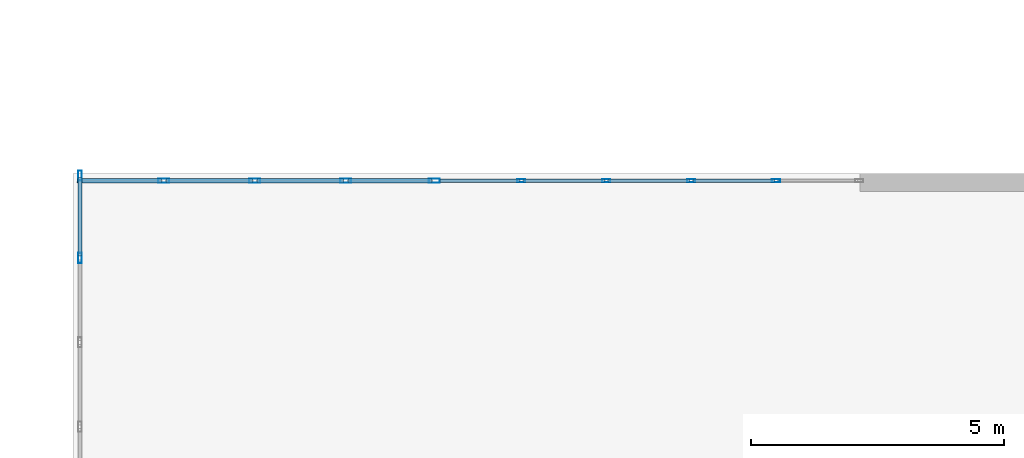
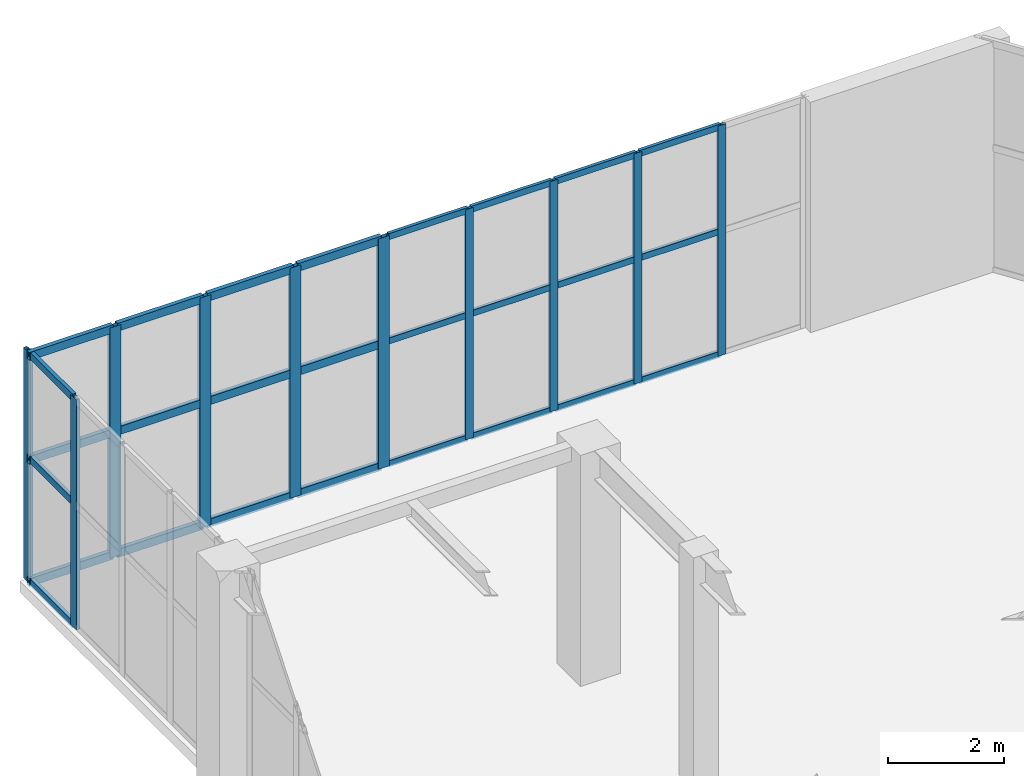
# One storey, part 63 of 128: 37 members, 3 elements without a shape of their own.
"""IFC4 building model written with IfcOpenShell, lengths in metres."""

import ifcopenshell
import ifcopenshell.guid

model = None  # the IFC model being written
_history = None  # IfcOwnerHistory: only IFC2X3 demands one
_inside = {}  # id of a spatial element -> (the spatial element, [elements in it])
_under = {}  # id of a project, library or spatial element -> (it, [spatial elements below it])
_declared = {}  # id of a project -> (the project, [libraries it declares])
_typed = {}  # id of a type object -> (the type object, [elements of that type])
_made_of = {}  # id of a material, layer set ... -> (it, [elements and type objects made of it])


def new_model(schema):
    """Start an empty IFC model of exactly this schema.

    Asked for "IFC4X3", IfcOpenShell would pick the latest addendum, in which some entities
    have other attributes; the version numbers below select the first issue.
    IFC2X3 requires an IfcOwnerHistory on every rooted entity: one is made here for all.
    """
    global model, _history
    if schema == "IFC4X3":
        model = ifcopenshell.file(schema_version=(4, 3, 0, 0))
    else:
        model = ifcopenshell.file(schema=schema)
    _inside.clear()
    _under.clear()
    _declared.clear()
    _typed.clear()
    _made_of.clear()
    _history = None
    if model.schema == "IFC2X3":
        org = make("IfcOrganization", Name="unknown")
        user = make(
            "IfcPersonAndOrganization",
            ThePerson=make("IfcPerson", FamilyName="unknown"),
            TheOrganization=org,
        )
        app = make(
            "IfcApplication",
            ApplicationDeveloper=org,
            Version="unknown",
            ApplicationFullName="unknown",
            ApplicationIdentifier="unknown",
        )
        _history = make(
            "IfcOwnerHistory",
            OwningUser=user,
            OwningApplication=app,
            ChangeAction="ADDED",
            CreationDate=0,
        )
    return model


def make(cls, **values):
    """One entity of the class cls with the attributes given. An attribute that is None is left unset."""
    return model.create_entity(
        cls, **{name: value for name, value in values.items() if value is not None}
    )


def rooted(cls, **values):
    """An entity with a GlobalId (a new one), such as an element, a storey or a relation."""
    return make(cls, GlobalId=ifcopenshell.guid.new(), OwnerHistory=_history, **values)


def si_unit(unit_type, name, prefix=None):
    """IfcSIUnit, for example si_unit("LENGTHUNIT", "METRE", prefix="MILLI")."""
    return make("IfcSIUnit", UnitType=unit_type, Prefix=prefix, Name=name)


def assignment(units):
    """IfcUnitAssignment: the units of a project."""
    return None if units is None else make("IfcUnitAssignment", Units=units)


def point(xyz):
    """IfcCartesianPoint."""
    return None if xyz is None else make("IfcCartesianPoint", Coordinates=xyz)


def direction(xyz):
    """IfcDirection."""
    return None if xyz is None else make("IfcDirection", DirectionRatios=xyz)


def frame(location, z_axis=None, x_axis=None):
    """IfcAxis2Placement3D, a coordinate frame: its origin and axes. An axis left out is left unset."""
    return make(
        "IfcAxis2Placement3D",
        Location=point(location),
        Axis=direction(z_axis),
        RefDirection=direction(x_axis),
    )


def frame_2d(location, x_axis=None):
    """IfcAxis2Placement2D, a coordinate frame in the plane: its origin and x axis."""
    return make(
        "IfcAxis2Placement2D", Location=point(location), RefDirection=direction(x_axis)
    )


def origin():
    """The frame at (0, 0, 0) with its axes left unset."""
    return frame((0.0, 0.0, 0.0))


def origin_2d():
    """The frame at (0, 0) in the plane with its x axis left unset."""
    return frame_2d((0.0, 0.0))


def place(relative_to, where):
    """IfcLocalPlacement: puts the frame where relative to a parent placement (None: the world)."""
    return make(
        "IfcLocalPlacement", PlacementRelTo=relative_to, RelativePlacement=where
    )


def context(
    kind, dimensions, precision=None, world=None, true_north=None, identifier=None
):
    """IfcGeometricRepresentationContext, for example the 3D "Model" context."""
    return make(
        "IfcGeometricRepresentationContext",
        ContextIdentifier=identifier,
        ContextType=kind,
        CoordinateSpaceDimension=dimensions,
        Precision=precision,
        WorldCoordinateSystem=world,
        TrueNorth=true_north,
    )


def subcontext(parent, identifier, kind, view, scale=None):
    """IfcGeometricRepresentationSubContext, for example "Body" below "Model"."""
    return make(
        "IfcGeometricRepresentationSubContext",
        ContextIdentifier=identifier,
        ContextType=kind,
        ParentContext=parent,
        TargetScale=scale,
        TargetView=view,
    )


def project(units=None, contexts=None):
    """IfcProject with its units and contexts."""
    return rooted(
        "IfcProject",
        Name="project",
        RepresentationContexts=contexts,
        UnitsInContext=assignment(units),
    )


def spatial(cls, under=None, at=None, **own):
    """A site, building, storey or space (cls), placed at a placement, below another one or the project."""
    s = rooted(cls, ObjectPlacement=at, **own)
    if under is not None:
        _under.setdefault(under.id(), (under, []))[1].append(s)
    return s


def profile(cls, at=None, kind="AREA", **sizes):
    """A parametric profile (cls). Its sizes go by their IFC names, for example OverallWidth=200.0."""
    return make(cls, ProfileType=kind, Position=at, **sizes)


def hollow_rectangle(**sizes):
    """IfcRectangleHollowProfileDef."""
    return profile("IfcRectangleHollowProfileDef", **sizes)


def extrude(swept, where, along, depth):
    """IfcExtrudedAreaSolid: the profile swept, set in the frame where, extruded along a direction by depth."""
    return make(
        "IfcExtrudedAreaSolid",
        SweptArea=swept,
        Position=where,
        ExtrudedDirection=direction(along),
        Depth=depth,
    )


def shape(context_of_items, identifier, shape_type, items):
    """IfcShapeRepresentation: the items that make up one representation, for example the "Body"."""
    return make(
        "IfcShapeRepresentation",
        ContextOfItems=context_of_items,
        RepresentationIdentifier=identifier,
        RepresentationType=shape_type,
        Items=items,
    )


def material(Name=None, Category=None):
    """IfcMaterial."""
    return make("IfcMaterial", Name=Name, Category=Category)


def layer(
    of_material, thickness, ventilated=None, Name=None, Category=None, Priority=None
):
    """IfcMaterialLayer: one layer of a wall or slab, of a material (None: an air gap)."""
    return make(
        "IfcMaterialLayer",
        Material=of_material,
        LayerThickness=thickness,
        IsVentilated=ventilated,
        Name=Name,
        Category=Category,
        Priority=Priority,
    )


def layer_set(layers, Name=None):
    """IfcMaterialLayerSet."""
    return make("IfcMaterialLayerSet", MaterialLayers=layers, LayerSetName=Name)


def material_profile(
    of_material, cross_section, Name=None, Category=None, Priority=None
):
    """IfcMaterialProfile: a cross section and its material."""
    return make(
        "IfcMaterialProfile",
        Name=Name,
        Material=of_material,
        Profile=cross_section,
        Priority=Priority,
        Category=Category,
    )


def profile_set(profiles, Name=None, composite=None):
    """IfcMaterialProfileSet."""
    return make(
        "IfcMaterialProfileSet",
        Name=Name,
        MaterialProfiles=profiles,
        CompositeProfile=composite,
    )


def made_of(thing, what):
    """Note that an element or type object is made of a material, layer set ...; save() writes the relation."""
    if what is not None:
        _made_of.setdefault(what.id(), (what, []))[1].append(thing)
    return thing


def type_object(cls, material=None, **own):
    """A type object (cls), such as IfcWallType, which elements share."""
    return made_of(rooted(cls, **own), material)


def element(
    cls,
    number,
    at=None,
    inside=None,
    cuts=None,
    type_object=None,
    material=None,
    context=None,
    identifier="Body",
    shape_type=None,
    held_by="IfcProductDefinitionShape",
    body=None,
    shapes=None,
    **own,
):
    """One element of the class cls, such as IfcWall. Its Tag is "e" and its number.

    at: its placement. inside: the storey or other place that contains it. cuts: it is an
    opening in that element (IfcRelVoidsElement). A single representation is given by context,
    identifier, shape_type and body (its items); several are given by shapes. held_by: the class
    of the entity that holds the representations. save() writes the other relations.
    """
    e = rooted(cls, Tag="e%d" % number, ObjectPlacement=at, **own)
    if body is not None:
        shapes = [shape(context, identifier, shape_type, body)]
    if shapes is not None:
        e.Representation = make(held_by, Representations=shapes)
    if inside is not None:
        _inside.setdefault(inside.id(), (inside, []))[1].append(e)
    if cuts is not None:
        rooted(
            "IfcRelVoidsElement", RelatingBuildingElement=cuts, RelatedOpeningElement=e
        )
    if type_object is not None:
        _typed.setdefault(type_object.id(), (type_object, []))[1].append(e)
    return made_of(e, material)


def aggregate(whole, parts):
    """IfcRelAggregates: a whole, such as a stair, and the parts it consists of."""
    return rooted("IfcRelAggregates", RelatingObject=whole, RelatedObjects=parts)


def save(model, path):
    """Write the relations noted so far, then the file.

    IfcRelAggregates (storeys below a building ...), IfcRelContainedInSpatialStructure (elements
    in a storey), IfcRelDefinesByType, IfcRelAssociatesMaterial and IfcRelDeclares: one each for
    every whole, place, type object, material and project.
    """
    for whole, parts in _under.values():
        aggregate(whole, parts)
    for where, things in _inside.values():
        rooted(
            "IfcRelContainedInSpatialStructure",
            RelatedElements=things,
            RelatingStructure=where,
        )
    for kind, things in _typed.values():
        rooted("IfcRelDefinesByType", RelatedObjects=things, RelatingType=kind)
    for what, things in _made_of.values():
        rooted("IfcRelAssociatesMaterial", RelatedObjects=things, RelatingMaterial=what)
    for by, libraries in _declared.values():
        rooted("IfcRelDeclares", RelatingContext=by, RelatedDefinitions=libraries)
    model.write(path)


model = new_model("IFC4")

# Units and contexts
model_context = context("Model", 3, precision=1e-05, world=origin(), true_north=direction((0.0, 1.0)))
body_context = subcontext(model_context, "Body", "Model", "MODEL_VIEW")
ifc_project = project(units=[si_unit("LENGTHUNIT", "METRE"), si_unit("AREAUNIT", "SQUARE_METRE"), si_unit("VOLUMEUNIT", "CUBIC_METRE"), si_unit("PLANEANGLEUNIT", "RADIAN"), si_unit("MASSUNIT", "GRAM", prefix="KILO")], contexts=[model_context])

# Site, building, storey
site_placement = place(None, origin())
site = spatial("IfcSite", under=ifc_project, at=site_placement, CompositionType="ELEMENT")
building_placement = place(site_placement, origin())
building = spatial("IfcBuilding", under=site, at=building_placement, Name="Xicomal Pleat Aquarium", CompositionType="ELEMENT")
storey_placement = place(building_placement, frame((0.0, 0.0, 5.39990234375)))
storey = spatial("IfcBuildingStorey", under=building, at=storey_placement, Name="L02", CompositionType="ELEMENT", Elevation=5.39990234375)

# Curtain wall, members
ifc_material_1 = material(Name="Bronze anodized aluminium 6063-T6", Category="aluminium")
ifc_layer_1 = layer(ifc_material_1, 0.159912109375)
ifc_layer_set_1 = layer_set([ifc_layer_1], Name="Bronze anodized aluminium 6063-T6")
curtain_wall_type_1 = type_object("IfcCurtainWallType", Name="CW-SYS-02", PredefinedType="NOTDEFINED", material=ifc_layer_set_1)
curtain_wall_1_placement = place(storey_placement, origin())
curtain_wall_1 = element("IfcCurtainWall", 1, at=curtain_wall_1_placement, inside=storey, type_object=curtain_wall_type_1, Name="L02 unitised curtain wall CW-L02-129", PredefinedType="NOTDEFINED")
ifc_material_2 = material(Name="Bronze anodized aluminium 6063-T6", Category="aluminium")
ifc_material_profile_1 = material_profile(ifc_material_2, hollow_rectangle(XDim=0.06494140625, YDim=0.159912109375, WallThickness=0.00390625, at=origin_2d()), Name="ALU MULL 65x160")
ifc_profile_set_1 = profile_set([ifc_material_profile_1], Name="Bronze anodized aluminium 6063-T6")
member_type_1 = type_object("IfcMemberType", Name="CWM-65x160", PredefinedType="MULLION", material=ifc_profile_set_1)
member_1_placement = place(storey_placement, frame((11.8798828125, 98.260009765625, 0.0), z_axis=(0.0, 0.0, 1.0), x_axis=(0.0, 1.0, 0.0)))
member_1 = element("IfcMember", 2, at=member_1_placement, type_object=member_type_1, Name="CW-02 mullion 2", PredefinedType="MULLION", context=body_context, shape_type="SweptSolid", body=[
    extrude(hollow_rectangle(XDim=0.06494140625, YDim=0.159912109375, WallThickness=0.00390625, at=origin_2d()), origin(), (0.0, 0.0, 1.0), 4.860107421875),
])
member_2_placement = place(storey_placement, frame((13.56005859375, 98.260009765625, 0.0), z_axis=(0.0, 0.0, 1.0), x_axis=(0.0, 1.0, 0.0)))
member_2 = element("IfcMember", 3, at=member_2_placement, type_object=member_type_1, Name="CW-02 mullion 3", PredefinedType="MULLION", context=body_context, shape_type="SweptSolid", body=[
    extrude(hollow_rectangle(XDim=0.06494140625, YDim=0.159912109375, WallThickness=0.00390625, at=origin_2d()), origin(), (0.0, 0.0, 1.0), 4.860107421875),
])
member_3_placement = place(storey_placement, frame((15.239990234375, 98.260009765625, 0.0), z_axis=(0.0, 0.0, 1.0), x_axis=(0.0, 1.0, 0.0)))
member_3 = element("IfcMember", 4, at=member_3_placement, type_object=member_type_1, Name="CW-02 mullion 4", PredefinedType="MULLION", context=body_context, shape_type="SweptSolid", body=[
    extrude(hollow_rectangle(XDim=0.06494140625, YDim=0.159912109375, WallThickness=0.00390625, at=origin_2d()), origin(), (0.0, 0.0, 1.0), 4.860107421875),
])
member_4_placement = place(storey_placement, frame((16.919921875, 98.260009765625, 0.0), z_axis=(0.0, 0.0, 1.0), x_axis=(0.0, 1.0, 0.0)))
member_4 = element("IfcMember", 5, at=member_4_placement, type_object=member_type_1, Name="CW-02 mullion 5", PredefinedType="MULLION", context=body_context, shape_type="SweptSolid", body=[
    extrude(hollow_rectangle(XDim=0.06494140625, YDim=0.159912109375, WallThickness=0.00390625, at=origin_2d()), origin(), (0.0, 0.0, 1.0), 4.860107421875),
])

ifc_material_3 = material(Name="Bronze anodized aluminium 6063-T6", Category="aluminium")
ifc_layer_2 = layer(ifc_material_3, 0.159912109375)
ifc_layer_set_2 = layer_set([ifc_layer_2], Name="Bronze anodized aluminium 6063-T6")
curtain_wall_type_2 = type_object("IfcCurtainWallType", Name="CW-SYS-07", PredefinedType="NOTDEFINED", material=ifc_layer_set_2)
curtain_wall_2_placement = place(storey_placement, origin())
curtain_wall_2 = element("IfcCurtainWall", 6, at=curtain_wall_2_placement, inside=storey, type_object=curtain_wall_type_2, Name="L02 unitised curtain wall CW-L02-127", PredefinedType="NOTDEFINED")
ifc_material_4 = material(Name="Bronze anodized aluminium 6063-T6", Category="aluminium")
ifc_material_profile_2 = material_profile(ifc_material_4, hollow_rectangle(XDim=0.074951171875, YDim=0.199951171875, WallThickness=0.00439453125, at=origin_2d()), Name="ALU MULL 75x200")
ifc_profile_set_2 = profile_set([ifc_material_profile_2], Name="Bronze anodized aluminium 6063-T6")
member_type_2 = type_object("IfcMemberType", Name="CWM-75x200", PredefinedType="MULLION", material=ifc_profile_set_2)
member_5_placement = place(storey_placement, frame((3.139892578125, 96.72998046875, 0.0), z_axis=(0.0, 0.0, 1.0), x_axis=(-1.0, 0.0, 0.0)))
member_5 = element("IfcMember", 7, at=member_5_placement, type_object=member_type_2, Name="CW-07 mullion 4", PredefinedType="MULLION", context=body_context, shape_type="SweptSolid", body=[
    extrude(hollow_rectangle(XDim=0.074951171875, YDim=0.199951171875, WallThickness=0.00439453125, at=origin_2d()), origin(), (0.0, 0.0, 1.0), 4.860107421875),
])
member_6_placement = place(storey_placement, frame((3.139892578125, 98.362548828125, 0.0), z_axis=(0.0, 0.0, 1.0), x_axis=(-1.0, 0.0, 0.0)))
member_6 = element("IfcMember", 8, at=member_6_placement, type_object=member_type_2, Name="CW-07 mullion 5", PredefinedType="MULLION", context=body_context, shape_type="SweptSolid", body=[
    extrude(hollow_rectangle(XDim=0.074951171875, YDim=0.199951171875, WallThickness=0.00439453125, at=origin_2d()), origin(), (0.0, 0.0, 1.0), 4.860107421875),
])

ifc_material_5 = material(Name="Bronze anodized aluminium 6063-T6", Category="aluminium")
ifc_layer_3 = layer(ifc_material_5, 0.159912109375)
ifc_layer_set_3 = layer_set([ifc_layer_3], Name="Bronze anodized aluminium 6063-T6")
curtain_wall_type_3 = type_object("IfcCurtainWallType", Name="CW-SYS-12", PredefinedType="NOTDEFINED", material=ifc_layer_set_3)
curtain_wall_3_placement = place(storey_placement, origin())
curtain_wall_3 = element("IfcCurtainWall", 9, at=curtain_wall_3_placement, inside=storey, type_object=curtain_wall_type_3, Name="L02 unitised curtain wall CW-L02-128", PredefinedType="NOTDEFINED")
ifc_material_6 = material(Name="Bronze anodized aluminium 6063-T6", Category="aluminium")
ifc_material_profile_3 = material_profile(ifc_material_6, hollow_rectangle(XDim=0.0849609375, YDim=0.219970703125, WallThickness=0.0048828125, at=origin_2d()), Name="ALU MULL 85x220")
ifc_profile_set_3 = profile_set([ifc_material_profile_3], Name="Bronze anodized aluminium 6063-T6")
member_type_3 = type_object("IfcMemberType", Name="CWM-85x220", PredefinedType="MULLION", material=ifc_profile_set_3)
member_7_placement = place(storey_placement, frame((4.800048828125, 98.260009765625, 0.0), z_axis=(0.0, 0.0, 1.0), x_axis=(0.0, 1.0, 0.0)))
member_7 = element("IfcMember", 10, at=member_7_placement, type_object=member_type_3, Name="CW-12 mullion 2", PredefinedType="MULLION", context=body_context, shape_type="SweptSolid", body=[
    extrude(hollow_rectangle(XDim=0.0849609375, YDim=0.219970703125, WallThickness=0.0048828125, at=origin_2d()), origin(), (0.0, 0.0, 1.0), 4.860107421875),
])
member_8_placement = place(storey_placement, frame((6.60009765625, 98.260009765625, 0.0), z_axis=(0.0, 0.0, 1.0), x_axis=(0.0, 1.0, 0.0)))
member_8 = element("IfcMember", 11, at=member_8_placement, type_object=member_type_3, Name="CW-12 mullion 3", PredefinedType="MULLION", context=body_context, shape_type="SweptSolid", body=[
    extrude(hollow_rectangle(XDim=0.0849609375, YDim=0.219970703125, WallThickness=0.0048828125, at=origin_2d()), origin(), (0.0, 0.0, 1.0), 4.860107421875),
])
member_9_placement = place(storey_placement, frame((8.39990234375, 98.260009765625, 0.0), z_axis=(0.0, 0.0, 1.0), x_axis=(0.0, 1.0, 0.0)))
member_9 = element("IfcMember", 12, at=member_9_placement, type_object=member_type_3, Name="CW-12 mullion 4", PredefinedType="MULLION", context=body_context, shape_type="SweptSolid", body=[
    extrude(hollow_rectangle(XDim=0.0849609375, YDim=0.219970703125, WallThickness=0.0048828125, at=origin_2d()), origin(), (0.0, 0.0, 1.0), 4.860107421875),
])
member_10_placement = place(storey_placement, frame((10.157470703125, 98.260009765625, 0.0), z_axis=(0.0, 0.0, 1.0), x_axis=(0.0, 1.0, 0.0)))
member_10 = element("IfcMember", 13, at=member_10_placement, type_object=member_type_3, Name="CW-12 mullion 5", PredefinedType="MULLION", context=body_context, shape_type="SweptSolid", body=[
    extrude(hollow_rectangle(XDim=0.0849609375, YDim=0.219970703125, WallThickness=0.0048828125, at=origin_2d()), origin(), (0.0, 0.0, 1.0), 4.860107421875),
])

# Member
ifc_material_7 = material(Name="Bronze anodized aluminium 6063-T6", Category="aluminium")
ifc_material_profile_4 = material_profile(ifc_material_7, hollow_rectangle(XDim=0.06494140625, YDim=0.1298828125, WallThickness=0.00390625, at=origin_2d()), Name="ALU TRAN 65x130")
ifc_profile_set_4 = profile_set([ifc_material_profile_4], Name="Bronze anodized aluminium 6063-T6")
member_type_4 = type_object("IfcMemberType", Name="CWT-65x130", PredefinedType="USERDEFINED", material=ifc_profile_set_4)
member_11_placement = place(storey_placement, frame((10.264892578125, 98.260009765625, 0.03271484375), z_axis=(1.0, 0.0, 0.0), x_axis=(0.0, 1.0, 0.0)))
member_11 = element("IfcMember", 14, at=member_11_placement, type_object=member_type_4, Name="CW-02 transom 1.1", ObjectType="TRANSOM", PredefinedType="USERDEFINED", context=body_context, shape_type="SweptSolid", body=[
    extrude(hollow_rectangle(XDim=0.06494140625, YDim=0.1298828125, WallThickness=0.00390625, at=origin_2d()), origin(), (0.0, 0.0, 1.0), 1.58251953125),
])

member_12_placement = place(storey_placement, frame((10.264892578125, 98.260009765625, 2.6240234375), z_axis=(1.0, 0.0, 0.0), x_axis=(0.0, 1.0, 0.0)))
member_12 = element("IfcMember", 15, at=member_12_placement, type_object=member_type_4, Name="CW-02 transom 1.2", ObjectType="TRANSOM", PredefinedType="USERDEFINED", context=body_context, shape_type="SweptSolid", body=[
    extrude(hollow_rectangle(XDim=0.06494140625, YDim=0.1298828125, WallThickness=0.00390625, at=origin_2d()), origin(), (0.0, 0.0, 1.0), 1.58251953125),
])

member_13_placement = place(storey_placement, frame((10.264892578125, 98.260009765625, 4.82763671875), z_axis=(1.0, 0.0, 0.0), x_axis=(0.0, 1.0, 0.0)))
member_13 = element("IfcMember", 16, at=member_13_placement, type_object=member_type_4, Name="CW-02 transom 1.3", ObjectType="TRANSOM", PredefinedType="USERDEFINED", context=body_context, shape_type="SweptSolid", body=[
    extrude(hollow_rectangle(XDim=0.06494140625, YDim=0.1298828125, WallThickness=0.00390625, at=origin_2d()), origin(), (0.0, 0.0, 1.0), 1.58251953125),
])

member_14_placement = place(storey_placement, frame((11.91259765625, 98.260009765625, 0.03271484375), z_axis=(1.0, 0.0, 0.0), x_axis=(0.0, 1.0, 0.0)))
member_14 = element("IfcMember", 17, at=member_14_placement, type_object=member_type_4, Name="CW-02 transom 2.1", ObjectType="TRANSOM", PredefinedType="USERDEFINED", context=body_context, shape_type="SweptSolid", body=[
    extrude(hollow_rectangle(XDim=0.06494140625, YDim=0.1298828125, WallThickness=0.00390625, at=origin_2d()), origin(), (0.0, 0.0, 1.0), 1.614990234375),
])

member_15_placement = place(storey_placement, frame((11.91259765625, 98.260009765625, 2.6240234375), z_axis=(1.0, 0.0, 0.0), x_axis=(0.0, 1.0, 0.0)))
member_15 = element("IfcMember", 18, at=member_15_placement, type_object=member_type_4, Name="CW-02 transom 2.2", ObjectType="TRANSOM", PredefinedType="USERDEFINED", context=body_context, shape_type="SweptSolid", body=[
    extrude(hollow_rectangle(XDim=0.06494140625, YDim=0.1298828125, WallThickness=0.00390625, at=origin_2d()), origin(), (0.0, 0.0, 1.0), 1.614990234375),
])

member_16_placement = place(storey_placement, frame((11.91259765625, 98.260009765625, 4.82763671875), z_axis=(1.0, 0.0, 0.0), x_axis=(0.0, 1.0, 0.0)))
member_16 = element("IfcMember", 19, at=member_16_placement, type_object=member_type_4, Name="CW-02 transom 2.3", ObjectType="TRANSOM", PredefinedType="USERDEFINED", context=body_context, shape_type="SweptSolid", body=[
    extrude(hollow_rectangle(XDim=0.06494140625, YDim=0.1298828125, WallThickness=0.00390625, at=origin_2d()), origin(), (0.0, 0.0, 1.0), 1.614990234375),
])

member_17_placement = place(storey_placement, frame((13.592529296875, 98.260009765625, 0.03271484375), z_axis=(1.0, 0.0, 0.0), x_axis=(0.0, 1.0, 0.0)))
member_17 = element("IfcMember", 20, at=member_17_placement, type_object=member_type_4, Name="CW-02 transom 3.1", ObjectType="TRANSOM", PredefinedType="USERDEFINED", context=body_context, shape_type="SweptSolid", body=[
    extrude(hollow_rectangle(XDim=0.06494140625, YDim=0.1298828125, WallThickness=0.00390625, at=origin_2d()), origin(), (0.0, 0.0, 1.0), 1.614990234375),
])

member_18_placement = place(storey_placement, frame((13.592529296875, 98.260009765625, 2.6240234375), z_axis=(1.0, 0.0, 0.0), x_axis=(0.0, 1.0, 0.0)))
member_18 = element("IfcMember", 21, at=member_18_placement, type_object=member_type_4, Name="CW-02 transom 3.2", ObjectType="TRANSOM", PredefinedType="USERDEFINED", context=body_context, shape_type="SweptSolid", body=[
    extrude(hollow_rectangle(XDim=0.06494140625, YDim=0.1298828125, WallThickness=0.00390625, at=origin_2d()), origin(), (0.0, 0.0, 1.0), 1.614990234375),
])

member_19_placement = place(storey_placement, frame((13.592529296875, 98.260009765625, 4.82763671875), z_axis=(1.0, 0.0, 0.0), x_axis=(0.0, 1.0, 0.0)))
member_19 = element("IfcMember", 22, at=member_19_placement, type_object=member_type_4, Name="CW-02 transom 3.3", ObjectType="TRANSOM", PredefinedType="USERDEFINED", context=body_context, shape_type="SweptSolid", body=[
    extrude(hollow_rectangle(XDim=0.06494140625, YDim=0.1298828125, WallThickness=0.00390625, at=origin_2d()), origin(), (0.0, 0.0, 1.0), 1.614990234375),
])

member_20_placement = place(storey_placement, frame((15.2724609375, 98.260009765625, 0.03271484375), z_axis=(1.0, 0.0, 0.0), x_axis=(0.0, 1.0, 0.0)))
member_20 = element("IfcMember", 23, at=member_20_placement, type_object=member_type_4, Name="CW-02 transom 4.1", ObjectType="TRANSOM", PredefinedType="USERDEFINED", context=body_context, shape_type="SweptSolid", body=[
    extrude(hollow_rectangle(XDim=0.06494140625, YDim=0.1298828125, WallThickness=0.00390625, at=origin_2d()), origin(), (0.0, 0.0, 1.0), 1.614990234375),
])

member_21_placement = place(storey_placement, frame((15.2724609375, 98.260009765625, 2.6240234375), z_axis=(1.0, 0.0, 0.0), x_axis=(0.0, 1.0, 0.0)))
member_21 = element("IfcMember", 24, at=member_21_placement, type_object=member_type_4, Name="CW-02 transom 4.2", ObjectType="TRANSOM", PredefinedType="USERDEFINED", context=body_context, shape_type="SweptSolid", body=[
    extrude(hollow_rectangle(XDim=0.06494140625, YDim=0.1298828125, WallThickness=0.00390625, at=origin_2d()), origin(), (0.0, 0.0, 1.0), 1.614990234375),
])

member_22_placement = place(storey_placement, frame((15.2724609375, 98.260009765625, 4.82763671875), z_axis=(1.0, 0.0, 0.0), x_axis=(0.0, 1.0, 0.0)))
member_22 = element("IfcMember", 25, at=member_22_placement, type_object=member_type_4, Name="CW-02 transom 4.3", ObjectType="TRANSOM", PredefinedType="USERDEFINED", context=body_context, shape_type="SweptSolid", body=[
    extrude(hollow_rectangle(XDim=0.06494140625, YDim=0.1298828125, WallThickness=0.00390625, at=origin_2d()), origin(), (0.0, 0.0, 1.0), 1.614990234375),
])

aggregate(curtain_wall_1, [member_1, member_2, member_3, member_4, member_11, member_12, member_13, member_14, member_15, member_16, member_17, member_18, member_19, member_20, member_21, member_22])

ifc_material_8 = material(Name="Bronze anodized aluminium 6063-T6", Category="aluminium")
ifc_material_profile_5 = material_profile(ifc_material_8, hollow_rectangle(XDim=0.074951171875, YDim=0.14990234375, WallThickness=0.00439453125, at=origin_2d()), Name="ALU TRAN 75x150")
ifc_profile_set_5 = profile_set([ifc_material_profile_5], Name="Bronze anodized aluminium 6063-T6")
member_type_5 = type_object("IfcMemberType", Name="CWT-75x150", PredefinedType="USERDEFINED", material=ifc_profile_set_5)
member_23_placement = place(storey_placement, frame((3.139892578125, 96.767578125, 0.03759765625), z_axis=(0.0, 1.0, 0.0), x_axis=(-1.0, 0.0, 0.0)))
member_23 = element("IfcMember", 26, at=member_23_placement, type_object=member_type_5, Name="CW-07 transom 4.1", ObjectType="TRANSOM", PredefinedType="USERDEFINED", context=body_context, shape_type="SweptSolid", body=[
    extrude(hollow_rectangle(XDim=0.074951171875, YDim=0.14990234375, WallThickness=0.00439453125, at=origin_2d()), origin(), (0.0, 0.0, 1.0), 1.557373046875),
])

member_24_placement = place(storey_placement, frame((3.139892578125, 96.767578125, 2.6240234375), z_axis=(0.0, 1.0, 0.0), x_axis=(-1.0, 0.0, 0.0)))
member_24 = element("IfcMember", 27, at=member_24_placement, type_object=member_type_5, Name="CW-07 transom 4.2", ObjectType="TRANSOM", PredefinedType="USERDEFINED", context=body_context, shape_type="SweptSolid", body=[
    extrude(hollow_rectangle(XDim=0.074951171875, YDim=0.14990234375, WallThickness=0.00439453125, at=origin_2d()), origin(), (0.0, 0.0, 1.0), 1.557373046875),
])

member_25_placement = place(storey_placement, frame((3.139892578125, 96.767578125, 4.822509765625), z_axis=(0.0, 1.0, 0.0), x_axis=(-1.0, 0.0, 0.0)))
member_25 = element("IfcMember", 28, at=member_25_placement, type_object=member_type_5, Name="CW-07 transom 4.3", ObjectType="TRANSOM", PredefinedType="USERDEFINED", context=body_context, shape_type="SweptSolid", body=[
    extrude(hollow_rectangle(XDim=0.074951171875, YDim=0.14990234375, WallThickness=0.00439453125, at=origin_2d()), origin(), (0.0, 0.0, 1.0), 1.557373046875),
])

aggregate(curtain_wall_2, [member_5, member_6, member_23, member_24, member_25])

ifc_material_9 = material(Name="Bronze anodized aluminium 6063-T6", Category="aluminium")
ifc_material_profile_6 = material_profile(ifc_material_9, hollow_rectangle(XDim=0.0849609375, YDim=0.169921875, WallThickness=0.0048828125, at=origin_2d()), Name="ALU TRAN 85x170")
ifc_profile_set_6 = profile_set([ifc_material_profile_6], Name="Bronze anodized aluminium 6063-T6")
member_type_6 = type_object("IfcMemberType", Name="CWT-85x170", PredefinedType="USERDEFINED", material=ifc_profile_set_6)
member_26_placement = place(storey_placement, frame((3.0849609375, 98.260009765625, 0.04248046875), z_axis=(1.0, 0.0, 0.0), x_axis=(0.0, 1.0, 0.0)))
member_26 = element("IfcMember", 29, at=member_26_placement, type_object=member_type_6, Name="CW-12 transom 1.1", ObjectType="TRANSOM", PredefinedType="USERDEFINED", context=body_context, shape_type="SweptSolid", body=[
    extrude(hollow_rectangle(XDim=0.0849609375, YDim=0.169921875, WallThickness=0.0048828125, at=origin_2d()), origin(), (0.0, 0.0, 1.0), 1.672607421875),
])

member_27_placement = place(storey_placement, frame((3.0849609375, 98.260009765625, 2.6240234375), z_axis=(1.0, 0.0, 0.0), x_axis=(0.0, 1.0, 0.0)))
member_27 = element("IfcMember", 30, at=member_27_placement, type_object=member_type_6, Name="CW-12 transom 1.2", ObjectType="TRANSOM", PredefinedType="USERDEFINED", context=body_context, shape_type="SweptSolid", body=[
    extrude(hollow_rectangle(XDim=0.0849609375, YDim=0.169921875, WallThickness=0.0048828125, at=origin_2d()), origin(), (0.0, 0.0, 1.0), 1.672607421875),
])

member_28_placement = place(storey_placement, frame((3.0849609375, 98.260009765625, 4.817626953125), z_axis=(1.0, 0.0, 0.0), x_axis=(0.0, 1.0, 0.0)))
member_28 = element("IfcMember", 31, at=member_28_placement, type_object=member_type_6, Name="CW-12 transom 1.3", ObjectType="TRANSOM", PredefinedType="USERDEFINED", context=body_context, shape_type="SweptSolid", body=[
    extrude(hollow_rectangle(XDim=0.0849609375, YDim=0.169921875, WallThickness=0.0048828125, at=origin_2d()), origin(), (0.0, 0.0, 1.0), 1.672607421875),
])

member_29_placement = place(storey_placement, frame((4.842529296875, 98.260009765625, 0.04248046875), z_axis=(1.0, 0.0, 0.0), x_axis=(0.0, 1.0, 0.0)))
member_29 = element("IfcMember", 32, at=member_29_placement, type_object=member_type_6, Name="CW-12 transom 2.1", ObjectType="TRANSOM", PredefinedType="USERDEFINED", context=body_context, shape_type="SweptSolid", body=[
    extrude(hollow_rectangle(XDim=0.0849609375, YDim=0.169921875, WallThickness=0.0048828125, at=origin_2d()), origin(), (0.0, 0.0, 1.0), 1.715087890625),
])

member_30_placement = place(storey_placement, frame((4.842529296875, 98.260009765625, 2.6240234375), z_axis=(1.0, 0.0, 0.0), x_axis=(0.0, 1.0, 0.0)))
member_30 = element("IfcMember", 33, at=member_30_placement, type_object=member_type_6, Name="CW-12 transom 2.2", ObjectType="TRANSOM", PredefinedType="USERDEFINED", context=body_context, shape_type="SweptSolid", body=[
    extrude(hollow_rectangle(XDim=0.0849609375, YDim=0.169921875, WallThickness=0.0048828125, at=origin_2d()), origin(), (0.0, 0.0, 1.0), 1.715087890625),
])

member_31_placement = place(storey_placement, frame((4.842529296875, 98.260009765625, 4.817626953125), z_axis=(1.0, 0.0, 0.0), x_axis=(0.0, 1.0, 0.0)))
member_31 = element("IfcMember", 34, at=member_31_placement, type_object=member_type_6, Name="CW-12 transom 2.3", ObjectType="TRANSOM", PredefinedType="USERDEFINED", context=body_context, shape_type="SweptSolid", body=[
    extrude(hollow_rectangle(XDim=0.0849609375, YDim=0.169921875, WallThickness=0.0048828125, at=origin_2d()), origin(), (0.0, 0.0, 1.0), 1.715087890625),
])

member_32_placement = place(storey_placement, frame((6.642578125, 98.260009765625, 0.04248046875), z_axis=(1.0, 0.0, 0.0), x_axis=(0.0, 1.0, 0.0)))
member_32 = element("IfcMember", 35, at=member_32_placement, type_object=member_type_6, Name="CW-12 transom 3.1", ObjectType="TRANSOM", PredefinedType="USERDEFINED", context=body_context, shape_type="SweptSolid", body=[
    extrude(hollow_rectangle(XDim=0.0849609375, YDim=0.169921875, WallThickness=0.0048828125, at=origin_2d()), origin(), (0.0, 0.0, 1.0), 1.71484375),
])

member_33_placement = place(storey_placement, frame((6.642578125, 98.260009765625, 2.6240234375), z_axis=(1.0, 0.0, 0.0), x_axis=(0.0, 1.0, 0.0)))
member_33 = element("IfcMember", 36, at=member_33_placement, type_object=member_type_6, Name="CW-12 transom 3.2", ObjectType="TRANSOM", PredefinedType="USERDEFINED", context=body_context, shape_type="SweptSolid", body=[
    extrude(hollow_rectangle(XDim=0.0849609375, YDim=0.169921875, WallThickness=0.0048828125, at=origin_2d()), origin(), (0.0, 0.0, 1.0), 1.71484375),
])

member_34_placement = place(storey_placement, frame((6.642578125, 98.260009765625, 4.817626953125), z_axis=(1.0, 0.0, 0.0), x_axis=(0.0, 1.0, 0.0)))
member_34 = element("IfcMember", 37, at=member_34_placement, type_object=member_type_6, Name="CW-12 transom 3.3", ObjectType="TRANSOM", PredefinedType="USERDEFINED", context=body_context, shape_type="SweptSolid", body=[
    extrude(hollow_rectangle(XDim=0.0849609375, YDim=0.169921875, WallThickness=0.0048828125, at=origin_2d()), origin(), (0.0, 0.0, 1.0), 1.71484375),
])

member_35_placement = place(storey_placement, frame((8.4423828125, 98.260009765625, 0.04248046875), z_axis=(1.0, 0.0, 0.0), x_axis=(0.0, 1.0, 0.0)))
member_35 = element("IfcMember", 38, at=member_35_placement, type_object=member_type_6, Name="CW-12 transom 4.1", ObjectType="TRANSOM", PredefinedType="USERDEFINED", context=body_context, shape_type="SweptSolid", body=[
    extrude(hollow_rectangle(XDim=0.0849609375, YDim=0.169921875, WallThickness=0.0048828125, at=origin_2d()), origin(), (0.0, 0.0, 1.0), 1.672607421875),
])

member_36_placement = place(storey_placement, frame((8.4423828125, 98.260009765625, 2.6240234375), z_axis=(1.0, 0.0, 0.0), x_axis=(0.0, 1.0, 0.0)))
member_36 = element("IfcMember", 39, at=member_36_placement, type_object=member_type_6, Name="CW-12 transom 4.2", ObjectType="TRANSOM", PredefinedType="USERDEFINED", context=body_context, shape_type="SweptSolid", body=[
    extrude(hollow_rectangle(XDim=0.0849609375, YDim=0.169921875, WallThickness=0.0048828125, at=origin_2d()), origin(), (0.0, 0.0, 1.0), 1.672607421875),
])

member_37_placement = place(storey_placement, frame((8.4423828125, 98.260009765625, 4.817626953125), z_axis=(1.0, 0.0, 0.0), x_axis=(0.0, 1.0, 0.0)))
member_37 = element("IfcMember", 40, at=member_37_placement, type_object=member_type_6, Name="CW-12 transom 4.3", ObjectType="TRANSOM", PredefinedType="USERDEFINED", context=body_context, shape_type="SweptSolid", body=[
    extrude(hollow_rectangle(XDim=0.0849609375, YDim=0.169921875, WallThickness=0.0048828125, at=origin_2d()), origin(), (0.0, 0.0, 1.0), 1.672607421875),
])

aggregate(curtain_wall_3, [member_7, member_8, member_9, member_10, member_26, member_27, member_28, member_29, member_30, member_31, member_32, member_33, member_34, member_35, member_36, member_37])

save(model, "model.ifc")
